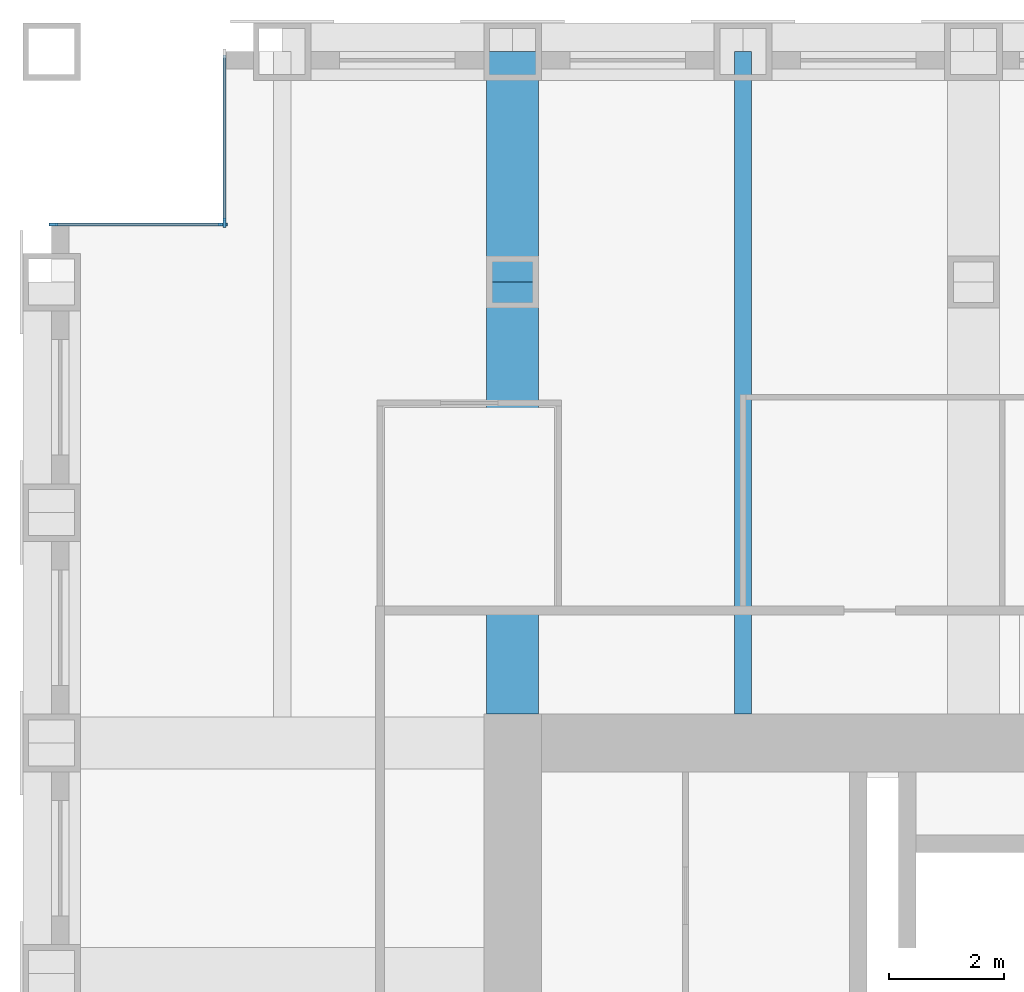
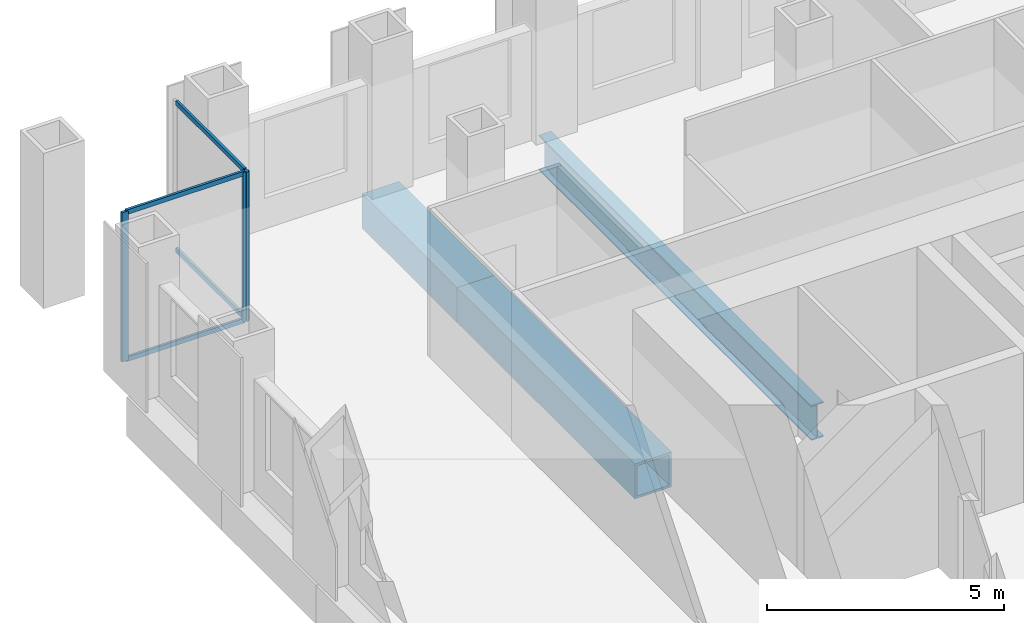
# One storey, part 6 of 16: 7 members, 3 beams, 2 elements without a shape of their own.
"""IFC4 building model written with IfcOpenShell, lengths in metres."""

from ifc_helpers import new_model, si_unit, direction, frame, origin, origin_2d, place, context, subcontext, project, spatial, rectangle, hollow_rectangle, i_section, extrude, material, material_profile, profile_set, type_object, element, aggregate, save


model = new_model("IFC4")

# Units and contexts
model_context = context("Model", 3, precision=1e-05, world=origin(), true_north=direction((0.0, 1.0)))
body_context = subcontext(model_context, "Body", "Model", "MODEL_VIEW")
ifc_project = project(units=[si_unit("LENGTHUNIT", "METRE"), si_unit("AREAUNIT", "SQUARE_METRE"), si_unit("VOLUMEUNIT", "CUBIC_METRE"), si_unit("PLANEANGLEUNIT", "RADIAN"), si_unit("MASSUNIT", "GRAM", prefix="KILO")], contexts=[model_context])

# Site, building, storey
site_placement = place(None, origin())
site = spatial("IfcSite", under=ifc_project, at=site_placement, CompositionType="ELEMENT")
building_placement = place(site_placement, origin())
building = spatial("IfcBuilding", under=site, at=building_placement, Name="Rimbunsela Tower", CompositionType="ELEMENT")
storey_placement = place(building_placement, frame((0.0, 0.0, 89.39990234375)))
storey = spatial("IfcBuildingStorey", under=building, at=storey_placement, Name="L21", CompositionType="ELEMENT", Elevation=89.39990234375)

# Beams
ifc_material_1 = material(Name="Steel BJ 55 (fy 410 MPa)", Category="steel")
ifc_material_profile_1 = material_profile(ifc_material_1, hollow_rectangle(XDim=0.89990234375, YDim=0.89990234375, WallThickness=0.06005859375, at=origin_2d()), Name="BOX 900x900x60")
ifc_profile_set_1 = profile_set([ifc_material_profile_1], Name="Steel BJ 55 (fy 410 MPa)")
beam_type_1 = type_object("IfcBeamType", Name="Beam BOX 900x900x60", PredefinedType="BEAM", material=ifc_profile_set_1)
beam_1_placement = place(storey_placement, frame((18.0, 36.5, -0.599853515625), z_axis=(0.0, 1.0, 0.0), x_axis=(-1.0, 0.0, 0.0)))
element("IfcBeam", 1, at=beam_1_placement, inside=storey, type_object=beam_type_1, Name="Beam B1 L21", PredefinedType="BEAM", context=body_context, shape_type="SweptSolid", body=[
    extrude(hollow_rectangle(XDim=0.89990234375, YDim=0.89990234375, WallThickness=0.06005859375, at=origin_2d()), origin(), (0.0, 0.0, 1.0), 7.5),
])
beam_2_placement = place(storey_placement, frame((18.0, 44.0, -0.599853515625), z_axis=(0.0, 1.0, 0.0), x_axis=(-1.0, 0.0, 0.0)))
element("IfcBeam", 2, at=beam_2_placement, inside=storey, type_object=beam_type_1, Name="Beam B1 L21", PredefinedType="BEAM", context=body_context, shape_type="SweptSolid", body=[
    extrude(hollow_rectangle(XDim=0.89990234375, YDim=0.89990234375, WallThickness=0.06005859375, at=origin_2d()), origin(), (0.0, 0.0, 1.0), 4.0),
])
ifc_material_2 = material(Name="Steel BJ 55 (fy 410 MPa)", Category="steel")
ifc_material_profile_2 = material_profile(ifc_material_2, i_section(OverallWidth=0.300048828125, OverallDepth=0.89990234375, WebThickness=0.01611328125, FlangeThickness=0.028076171875, FilletRadius=0.028076171875, at=origin_2d()), Name="H 900x300x16x28")
ifc_profile_set_2 = profile_set([ifc_material_profile_2], Name="Steel BJ 55 (fy 410 MPa)")
beam_type_2 = type_object("IfcBeamType", Name="Beam H 900x300x16x28", PredefinedType="BEAM", material=ifc_profile_set_2)
beam_3_placement = place(storey_placement, frame((22.0, 36.5, -0.599853515625), z_axis=(0.0, 1.0, 0.0), x_axis=(-1.0, 0.0, 0.0)))
element("IfcBeam", 3, at=beam_3_placement, inside=storey, type_object=beam_type_2, Name="Beam B2 L21", PredefinedType="BEAM", context=body_context, shape_type="SweptSolid", body=[
    extrude(i_section(OverallWidth=0.300048828125, OverallDepth=0.89990234375, WebThickness=0.01611328125, FlangeThickness=0.028076171875, FilletRadius=0.028076171875, at=origin_2d()), origin(), (0.0, 0.0, 1.0), 11.5),
])

# Curtain wall, member
ifc_material_3 = material(Name="Aluminium curtain wall", Category="aluminium")
curtain_wall_type = type_object("IfcCurtainWallType", Name="Corner glazing", PredefinedType="USERDEFINED", material=ifc_material_3)
curtain_wall_1_placement = place(storey_placement, origin())
curtain_wall_1 = element("IfcCurtainWall", 4, at=curtain_wall_1_placement, inside=storey, type_object=curtain_wall_type, Name="Corner glazing L21", ObjectType="CORNER GLAZING", PredefinedType="USERDEFINED")
ifc_material_4 = material(Name="Aluminium mullion", Category="aluminium")
ifc_material_profile_3 = material_profile(ifc_material_4, rectangle(XDim=0.06005859375, YDim=0.159912109375, at=origin_2d()), Name="Mullion 60x160")
ifc_profile_set_3 = profile_set([ifc_material_profile_3], Name="Aluminium mullion")
member_type_1 = type_object("IfcMemberType", Name="Curtain wall mullion 60x160", PredefinedType="MULLION", material=ifc_profile_set_3)
member_1_placement = place(storey_placement, frame((13.0, 45.030029296875, 0.0), z_axis=(0.0, 0.0, 1.0), x_axis=(1.0, 0.0, 0.0)))
member_1 = element("IfcMember", 5, at=member_1_placement, type_object=member_type_1, Name="CW5 mullion 2", PredefinedType="MULLION", context=body_context, shape_type="SweptSolid", body=[
    extrude(rectangle(XDim=0.06005859375, YDim=0.159912109375, at=origin_2d()), origin(), (0.0, 0.0, 1.0), 3.85009765625),
])

# Curtain wall, members
curtain_wall_2_placement = place(storey_placement, origin())
curtain_wall_2 = element("IfcCurtainWall", 6, at=curtain_wall_2_placement, inside=storey, type_object=curtain_wall_type, Name="Corner glazing L21", ObjectType="CORNER GLAZING", PredefinedType="USERDEFINED")
member_2_placement = place(storey_placement, frame((12.969970703125, 45.0, 0.0), z_axis=(0.0, 0.0, 1.0), x_axis=(0.0, -1.0, 0.0)))
member_2 = element("IfcMember", 7, at=member_2_placement, type_object=member_type_1, Name="CW5 mullion 1", PredefinedType="MULLION", context=body_context, shape_type="SweptSolid", body=[
    extrude(rectangle(XDim=0.06005859375, YDim=0.159912109375, at=origin_2d()), origin(), (0.0, 0.0, 1.0), 3.85009765625),
])
member_3_placement = place(storey_placement, frame((10.030029296875, 45.0, 0.0), z_axis=(0.0, 0.0, 1.0), x_axis=(0.0, -1.0, 0.0)))
member_3 = element("IfcMember", 8, at=member_3_placement, type_object=member_type_1, Name="CW5 mullion 2", PredefinedType="MULLION", context=body_context, shape_type="SweptSolid", body=[
    extrude(rectangle(XDim=0.06005859375, YDim=0.159912109375, at=origin_2d()), origin(), (0.0, 0.0, 1.0), 3.85009765625),
])

# Member
ifc_material_5 = material(Name="Aluminium transom", Category="aluminium")
ifc_material_profile_4 = material_profile(ifc_material_5, rectangle(XDim=0.06005859375, YDim=0.1201171875, at=origin_2d()), Name="Transom 60x120")
ifc_profile_set_4 = profile_set([ifc_material_profile_4], Name="Aluminium transom")
member_type_2 = type_object("IfcMemberType", Name="Curtain wall transom 60x120", PredefinedType="USERDEFINED", material=ifc_profile_set_4)
member_4_placement = place(storey_placement, frame((13.0, 47.93994140625, 0.030029296875), z_axis=(0.0, -1.0, 0.0), x_axis=(1.0, 0.0, 0.0)))
member_4 = element("IfcMember", 9, at=member_4_placement, type_object=member_type_2, Name="CW5 transom 1.1", ObjectType="TRANSOM", PredefinedType="USERDEFINED", context=body_context, shape_type="SweptSolid", body=[
    extrude(rectangle(XDim=0.06005859375, YDim=0.1201171875, at=origin_2d()), origin(), (0.0, 0.0, 1.0), 2.8798828125),
])

member_5_placement = place(storey_placement, frame((13.0, 47.93994140625, 3.820068359375), z_axis=(0.0, -1.0, 0.0), x_axis=(1.0, 0.0, 0.0)))
member_5 = element("IfcMember", 10, at=member_5_placement, type_object=member_type_2, Name="CW5 transom 1.2", ObjectType="TRANSOM", PredefinedType="USERDEFINED", context=body_context, shape_type="SweptSolid", body=[
    extrude(rectangle(XDim=0.06005859375, YDim=0.1201171875, at=origin_2d()), origin(), (0.0, 0.0, 1.0), 2.8798828125),
])

aggregate(curtain_wall_1, [member_1, member_4, member_5])

member_6_placement = place(storey_placement, frame((12.93994140625, 45.0, 0.030029296875), z_axis=(-1.0, 0.0, 0.0), x_axis=(0.0, -1.0, 0.0)))
member_6 = element("IfcMember", 11, at=member_6_placement, type_object=member_type_2, Name="CW5 transom 1.1", ObjectType="TRANSOM", PredefinedType="USERDEFINED", context=body_context, shape_type="SweptSolid", body=[
    extrude(rectangle(XDim=0.06005859375, YDim=0.1201171875, at=origin_2d()), origin(), (0.0, 0.0, 1.0), 2.8798828125),
])

member_7_placement = place(storey_placement, frame((12.93994140625, 45.0, 3.820068359375), z_axis=(-1.0, 0.0, 0.0), x_axis=(0.0, -1.0, 0.0)))
member_7 = element("IfcMember", 12, at=member_7_placement, type_object=member_type_2, Name="CW5 transom 1.2", ObjectType="TRANSOM", PredefinedType="USERDEFINED", context=body_context, shape_type="SweptSolid", body=[
    extrude(rectangle(XDim=0.06005859375, YDim=0.1201171875, at=origin_2d()), origin(), (0.0, 0.0, 1.0), 2.8798828125),
])

aggregate(curtain_wall_2, [member_2, member_3, member_6, member_7])

save(model, "model.ifc")
